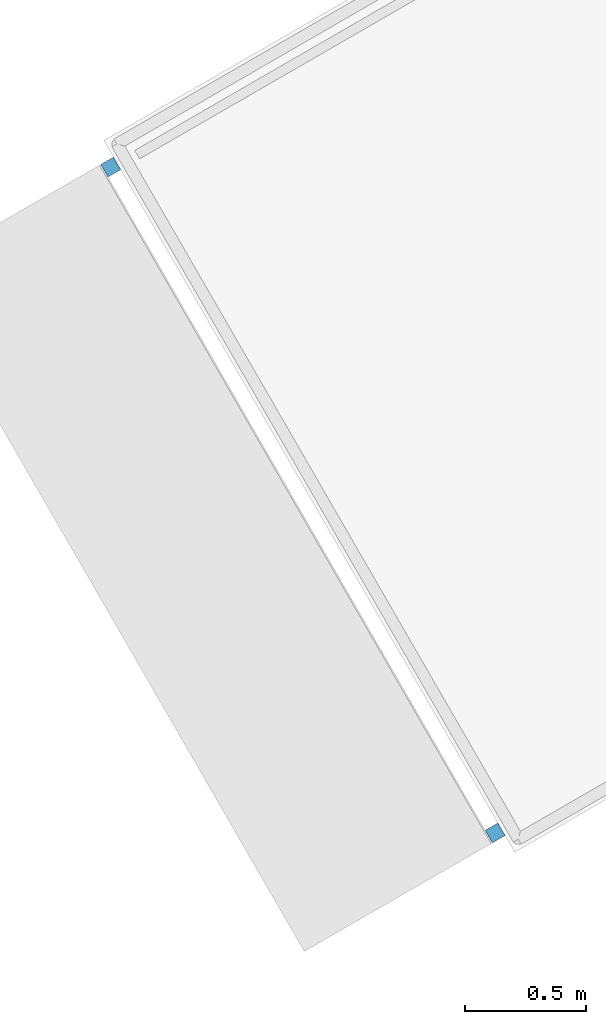
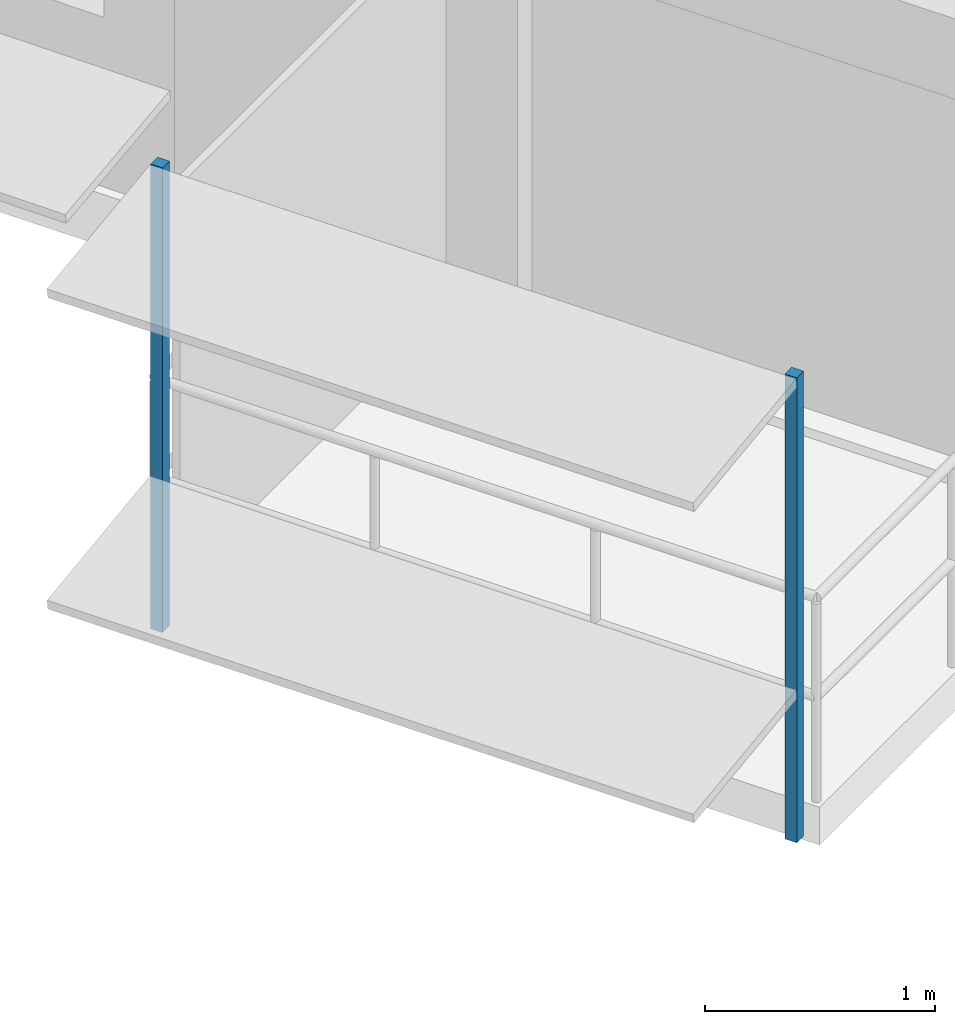
# One storey, part 10 of 15: 2 discrete accessories.
"""IFC4 building model written with IfcOpenShell, lengths in metres."""

from ifc_helpers import new_model, si_unit, direction, frame, origin, origin_2d, place, context, subcontext, project, spatial, rectangle, extrude, material, type_object, element, save


model = new_model("IFC4")

# Units and contexts
model_context = context("Model", 3, precision=1e-05, world=origin(), true_north=direction((0.0, 1.0)))
body_context = subcontext(model_context, "Body", "Model", "MODEL_VIEW")
ifc_project = project(units=[si_unit("LENGTHUNIT", "METRE"), si_unit("AREAUNIT", "SQUARE_METRE"), si_unit("VOLUMEUNIT", "CUBIC_METRE"), si_unit("PLANEANGLEUNIT", "RADIAN"), si_unit("MASSUNIT", "GRAM", prefix="KILO")], contexts=[model_context])

# Site, building, storey
site_placement = place(None, origin())
site = spatial("IfcSite", under=ifc_project, at=site_placement, CompositionType="ELEMENT")
building_placement = place(site_placement, origin())
building = spatial("IfcBuilding", under=site, at=building_placement, Name="Nakaniwa Court", CompositionType="ELEMENT")
storey_placement = place(building_placement, frame((0.0, 0.0, 213.0)))
storey = spatial("IfcBuildingStorey", under=building, at=storey_placement, Name="L56", CompositionType="ELEMENT", Elevation=213.0)

# Discrete accessories
ifc_material = material(Name="Black powder-coated steel bracket S275", Category="steel")
discrete_accessory_type = type_object("IfcDiscreteAccessoryType", Name="Black metal louvre bracket", PredefinedType="BRACKET", material=ifc_material)
for number, where, z_axis, x_axis, name in (
    (1, (56.412109375, 70.69580078125, -0.22998046875), (0.0, 0.0, 1.0), (0.499986396443, -0.866033257659, 0.0), "L56 louvre bracket 01 1"),
    (2, (58.00146484375, 67.9423828125, -0.22998046875), (0.0, 0.0, 1.0), (0.499986396443, -0.866033257659, 0.0), "L56 louvre bracket 01 2"),
):
    element("IfcDiscreteAccessory", number, at=place(storey_placement, frame(where, z_axis=z_axis, x_axis=x_axis)), inside=storey, type_object=discrete_accessory_type, Name=name, PredefinedType="BRACKET", context=body_context, shape_type="SweptSolid", body=[
        extrude(rectangle(XDim=0.06005859375, YDim=0.06005859375, at=origin_2d()), origin(), (0.0, 0.0, 1.0), 2.46337890625),
    ])

save(model, "model.ifc")
